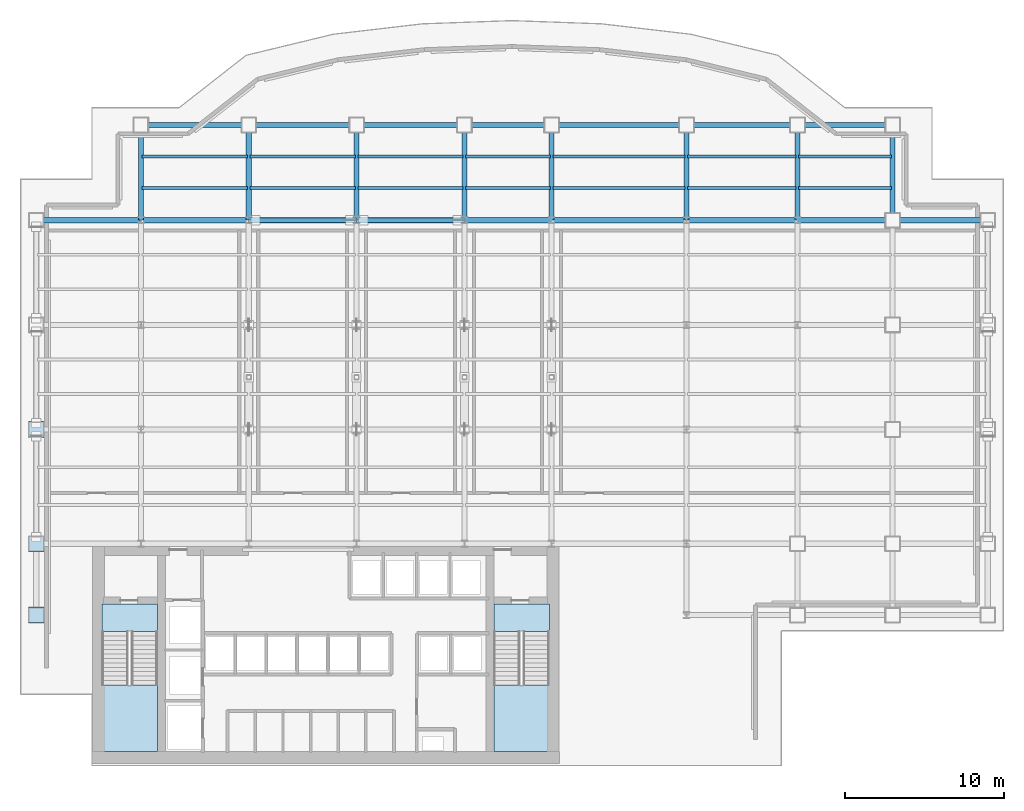
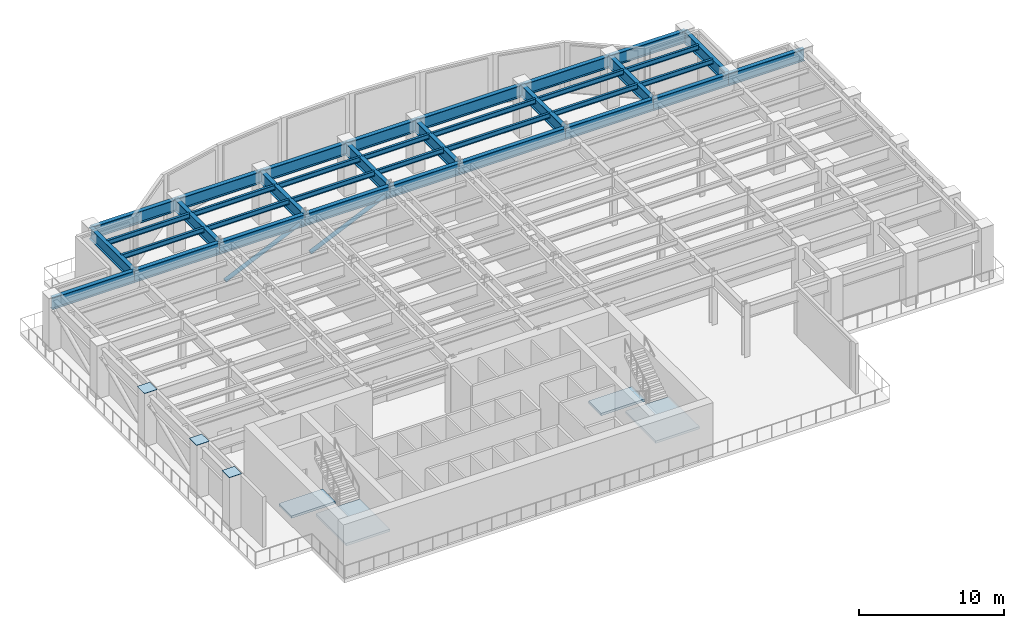
# One storey, part 4 of 14: 38 beams, 4 slabs, 3 plates, 2 members, 2 elements without a shape of their own.
"""IFC4 building model written with IfcOpenShell, lengths in metres."""

from ifc_helpers import new_model, si_unit, derived_unit, direction, frame, origin, origin_2d, place, context, subcontext, project, spatial, polyline, rectangle, hollow_circle, i_section, outline, extrude, source, transform, mapped, material, layer, layer_set, material_profile, profile_set, type_object, element, aggregate, save


model = new_model("IFC4")

# Units and contexts
model_context = context("Model", 3, precision=1e-05, world=origin(), true_north=direction((0.0, 1.0)))
body_context = subcontext(model_context, "Body", "Model", "MODEL_VIEW")
ifc_project = project(units=[si_unit("LENGTHUNIT", "METRE"), si_unit("AREAUNIT", "SQUARE_METRE"), si_unit("VOLUMEUNIT", "CUBIC_METRE"), si_unit("PLANEANGLEUNIT", "RADIAN"), si_unit("MASSUNIT", "GRAM", prefix="KILO"), derived_unit("THERMALTRANSMITTANCEUNIT", [(si_unit("POWERUNIT", "WATT"), 1), (si_unit("LENGTHUNIT", "METRE"), -2), (si_unit("THERMODYNAMICTEMPERATUREUNIT", "KELVIN"), -1)])], contexts=[model_context])

# Site, building, storey
site_placement = place(None, origin())
site = spatial("IfcSite", under=ifc_project, at=site_placement, CompositionType="ELEMENT")
building_placement = place(site_placement, origin())
building = spatial("IfcBuilding", under=site, at=building_placement, Name="Skarnbrae Concourse Arena and Tower", CompositionType="ELEMENT")
storey_placement = place(building_placement, frame((0.0, 0.0, 84.14990234375)))
storey = spatial("IfcBuildingStorey", under=building, at=storey_placement, Name="L20", CompositionType="ELEMENT", Elevation=84.14990234375)

# Beams
ifc_material_1 = material(Name="Steel CSA G40.21 350W", Category="steel")
ifc_material_profile_1 = material_profile(ifc_material_1, i_section(OverallWidth=0.180908203125, OverallDepth=0.4169921875, WebThickness=0.010986328125, FlangeThickness=0.018310546875, at=origin_2d()), Name="W410X85")
ifc_profile_set_1 = profile_set([ifc_material_profile_1], Name="Steel CSA G40.21 350W")
beam_type_1 = type_object("IfcBeamType", Name="BM-JOIST-W410X85", PredefinedType="JOIST", material=ifc_profile_set_1)
shared_shape_1 = source(origin(), body_context, "Body", "SweptSolid", [
    extrude(i_section(OverallWidth=0.180908203125, OverallDepth=0.4169921875, WebThickness=0.010986328125, FlangeThickness=0.018310546875, at=origin_2d()), origin(), (0.0, 0.0, 1.0), 6.64013671875),
])
for number, where, z_axis, x_axis, name in (
    (1, (7.679931640625, 36.43994140625, 3.99169921875), (1.0, 0.0, 0.0), (0.0, 1.0, 0.0), "L20 Secondary floor joist 4.1.1"),
    (2, (14.47998046875, 36.43994140625, 3.99169921875), (1.0, 0.0, 0.0), (0.0, 1.0, 0.0), "L20 Secondary floor joist 4.1.2"),
    (3, (7.679931640625, 38.419921875, 3.99169921875), (1.0, 0.0, 0.0), (0.0, 1.0, 0.0), "L20 Secondary floor joist 4.2.1"),
    (4, (14.47998046875, 38.419921875, 3.99169921875), (1.0, 0.0, 0.0), (0.0, 1.0, 0.0), "L20 Secondary floor joist 4.2.2"),
):
    element("IfcBeam", number, at=place(storey_placement, frame(where, z_axis=z_axis, x_axis=x_axis)), inside=storey, type_object=beam_type_1, Name=name, PredefinedType="JOIST", context=body_context, shape_type="MappedRepresentation", body=[
        mapped(shared_shape_1, transform((0.0, 0.0, 0.0))),
    ])
shared_shape_2 = source(origin(), body_context, "Body", "SweptSolid", [
    extrude(i_section(OverallWidth=0.180908203125, OverallDepth=0.4169921875, WebThickness=0.010986328125, FlangeThickness=0.018310546875, at=origin_2d()), origin(), (0.0, 0.0, 1.0), 6.639892578125),
])
for number, where, z_axis, x_axis, name in (
    (5, (21.280029296875, 36.43994140625, 3.99169921875), (1.0, 0.0, 0.0), (0.0, 1.0, 0.0), "L20 Secondary floor joist 4.1.3"),
    (6, (21.280029296875, 38.419921875, 3.99169921875), (1.0, 0.0, 0.0), (0.0, 1.0, 0.0), "L20 Secondary floor joist 4.2.3"),
):
    element("IfcBeam", number, at=place(storey_placement, frame(where, z_axis=z_axis, x_axis=x_axis)), inside=storey, type_object=beam_type_1, Name=name, PredefinedType="JOIST", context=body_context, shape_type="MappedRepresentation", body=[
        mapped(shared_shape_2, transform((0.0, 0.0, 0.0))),
    ])
shared_shape_3 = source(origin(), body_context, "Body", "SweptSolid", [
    extrude(i_section(OverallWidth=0.180908203125, OverallDepth=0.4169921875, WebThickness=0.010986328125, FlangeThickness=0.018310546875, at=origin_2d()), origin(), (0.0, 0.0, 1.0), 5.33984375),
])
for number, where, z_axis, x_axis, name in (
    (7, (28.080078125, 36.43994140625, 3.99169921875), (1.0, 0.0, 0.0), (0.0, 1.0, 0.0), "L20 Secondary floor joist 4.1.4"),
    (8, (28.080078125, 38.419921875, 3.99169921875), (1.0, 0.0, 0.0), (0.0, 1.0, 0.0), "L20 Secondary floor joist 4.2.4"),
):
    element("IfcBeam", number, at=place(storey_placement, frame(where, z_axis=z_axis, x_axis=x_axis)), inside=storey, type_object=beam_type_1, Name=name, PredefinedType="JOIST", context=body_context, shape_type="MappedRepresentation", body=[
        mapped(shared_shape_3, transform((0.0, 0.0, 0.0))),
    ])
shared_shape_4 = source(origin(), body_context, "Body", "SweptSolid", [
    extrude(i_section(OverallWidth=0.180908203125, OverallDepth=0.4169921875, WebThickness=0.010986328125, FlangeThickness=0.018310546875, at=origin_2d()), origin(), (0.0, 0.0, 1.0), 8.33984375),
])
for number, where, z_axis, x_axis, name in (
    (9, (33.580078125, 36.43994140625, 3.99169921875), (1.0, 0.0, 0.0), (0.0, 1.0, 0.0), "L20 Secondary floor joist 4.1.5"),
    (10, (33.580078125, 38.419921875, 3.99169921875), (1.0, 0.0, 0.0), (0.0, 1.0, 0.0), "L20 Secondary floor joist 4.2.5"),
):
    element("IfcBeam", number, at=place(storey_placement, frame(where, z_axis=z_axis, x_axis=x_axis)), inside=storey, type_object=beam_type_1, Name=name, PredefinedType="JOIST", context=body_context, shape_type="MappedRepresentation", body=[
        mapped(shared_shape_4, transform((0.0, 0.0, 0.0))),
    ])
shared_shape_5 = source(origin(), body_context, "Body", "SweptSolid", [
    extrude(i_section(OverallWidth=0.180908203125, OverallDepth=0.4169921875, WebThickness=0.010986328125, FlangeThickness=0.018310546875, at=origin_2d()), origin(), (0.0, 0.0, 1.0), 6.83984375),
])
for number, where, z_axis, x_axis, name in (
    (11, (42.080078125, 36.43994140625, 3.99169921875), (1.0, 0.0, 0.0), (0.0, 1.0, 0.0), "L20 Secondary floor joist 4.1.6"),
    (12, (42.080078125, 38.419921875, 3.99169921875), (1.0, 0.0, 0.0), (0.0, 1.0, 0.0), "L20 Secondary floor joist 4.2.6"),
):
    element("IfcBeam", number, at=place(storey_placement, frame(where, z_axis=z_axis, x_axis=x_axis)), inside=storey, type_object=beam_type_1, Name=name, PredefinedType="JOIST", context=body_context, shape_type="MappedRepresentation", body=[
        mapped(shared_shape_5, transform((0.0, 0.0, 0.0))),
    ])
shared_shape_6 = source(origin(), body_context, "Body", "SweptSolid", [
    extrude(i_section(OverallWidth=0.180908203125, OverallDepth=0.4169921875, WebThickness=0.010986328125, FlangeThickness=0.018310546875, at=origin_2d()), origin(), (0.0, 0.0, 1.0), 5.83984375),
])
for number, where, z_axis, x_axis, name in (
    (13, (49.080078125, 36.43994140625, 3.99169921875), (1.0, 0.0, 0.0), (0.0, 1.0, 0.0), "L20 Secondary floor joist 4.1.7"),
    (14, (49.080078125, 38.419921875, 3.99169921875), (1.0, 0.0, 0.0), (0.0, 1.0, 0.0), "L20 Secondary floor joist 4.2.7"),
):
    element("IfcBeam", number, at=place(storey_placement, frame(where, z_axis=z_axis, x_axis=x_axis)), inside=storey, type_object=beam_type_1, Name=name, PredefinedType="JOIST", context=body_context, shape_type="MappedRepresentation", body=[
        mapped(shared_shape_6, transform((0.0, 0.0, 0.0))),
    ])
ifc_material_profile_2 = material_profile(ifc_material_1, i_section(OverallWidth=0.327880859375, OverallDepth=1.0, WebThickness=0.02099609375, FlangeThickness=0.03759765625, at=origin_2d()), Name="W1000X371")
ifc_profile_set_2 = profile_set([ifc_material_profile_2], Name="Steel CSA G40.21 350W")
beam_type_2 = type_object("IfcBeamType", Name="BM-XFER-W1000X371", PredefinedType="BEAM", material=ifc_profile_set_2)
shared_shape_7 = source(origin(), body_context, "Body", "SweptSolid", [
    extrude(i_section(OverallWidth=0.327880859375, OverallDepth=1.0, WebThickness=0.02099609375, FlangeThickness=0.03759765625, at=origin_2d()), origin(), (0.0, 0.0, 1.0), 7.0),
])
for number, where, z_axis, x_axis, name in (
    (15, (42.0, 34.39990234375, 3.7001953125), (1.0, 0.0, 0.0), (0.0, 1.0, 0.0), "L20 Primary E-W girder Y34.4-7"),
    (16, (42.0, 40.39990234375, 3.7001953125), (1.0, 0.0, 0.0), (0.0, 1.0, 0.0), "L20 Perimeter spandrel Y40.4-6"),
):
    element("IfcBeam", number, at=place(storey_placement, frame(where, z_axis=z_axis, x_axis=x_axis)), inside=storey, type_object=beam_type_2, Name=name, PredefinedType="BEAM", context=body_context, shape_type="MappedRepresentation", body=[
        mapped(shared_shape_7, transform((0.0, 0.0, 0.0))),
    ])
shared_shape_8 = source(origin(), body_context, "Body", "SweptSolid", [
    extrude(i_section(OverallWidth=0.327880859375, OverallDepth=1.0, WebThickness=0.02099609375, FlangeThickness=0.03759765625, at=origin_2d()), origin(), (0.0, 0.0, 1.0), 6.0),
])
for number, where, z_axis, x_axis, name in (
    (17, (49.0, 34.39990234375, 3.7001953125), (1.0, 0.0, 0.0), (0.0, 1.0, 0.0), "L20 Primary E-W girder Y34.4-8"),
    (18, (55.0, 34.39990234375, 3.7001953125), (1.0, 0.0, 0.0), (0.0, 1.0, 0.0), "L20 Perimeter spandrel Y34.4-9"),
    (19, (49.0, 40.39990234375, 3.7001953125), (1.0, 0.0, 0.0), (0.0, 1.0, 0.0), "L20 Perimeter spandrel Y40.4-7"),
    (20, (7.60009765625, 34.39990234375, 3.7001953125), (0.0, 1.0, 0.0), (-1.0, 0.0, 0.0), "L20 Primary N-S girder X7.6-4"),
    (21, (14.39990234375, 34.39990234375, 3.7001953125), (0.0, 1.0, 0.0), (-1.0, 0.0, 0.0), "L20 Primary N-S girder X14.4-4"),
    (22, (21.199951171875, 34.39990234375, 3.7001953125), (0.0, 1.0, 0.0), (-1.0, 0.0, 0.0), "L20 Primary N-S girder X21.2-4"),
    (23, (28.0, 34.39990234375, 3.7001953125), (0.0, 1.0, 0.0), (-1.0, 0.0, 0.0), "L20 Primary N-S girder X28.0-4"),
    (24, (33.5, 34.39990234375, 3.7001953125), (0.0, 1.0, 0.0), (-1.0, 0.0, 0.0), "L20 Primary N-S girder X33.5-4"),
    (25, (42.0, 34.39990234375, 3.7001953125), (0.0, 1.0, 0.0), (-1.0, 0.0, 0.0), "L20 Primary N-S girder X42.0-5"),
    (26, (49.0, 34.39990234375, 3.7001953125), (0.0, 1.0, 0.0), (-1.0, 0.0, 0.0), "L20 Primary N-S girder X49.0-5"),
    (27, (55.0, 34.39990234375, 3.7001953125), (0.0, 1.0, 0.0), (-1.0, 0.0, 0.0), "L20 Perimeter spandrel X55.0-5"),
):
    element("IfcBeam", number, at=place(storey_placement, frame(where, z_axis=z_axis, x_axis=x_axis)), inside=storey, type_object=beam_type_2, Name=name, PredefinedType="BEAM", context=body_context, shape_type="MappedRepresentation", body=[
        mapped(shared_shape_8, transform((0.0, 0.0, 0.0))),
    ])
shared_shape_9 = source(origin(), body_context, "Body", "SweptSolid", [
    extrude(i_section(OverallWidth=0.327880859375, OverallDepth=1.0, WebThickness=0.02099609375, FlangeThickness=0.03759765625, at=origin_2d()), origin(), (0.0, 0.0, 1.0), 6.60009765625),
])
beam_placement = place(storey_placement, frame((1.0, 34.39990234375, 3.7001953125), z_axis=(1.0, 0.0, 0.0), x_axis=(0.0, 1.0, 0.0)))
element("IfcBeam", 28, at=beam_placement, inside=storey, type_object=beam_type_2, Name="L20 Primary E-W girder Y34.4-1", PredefinedType="BEAM", context=body_context, shape_type="MappedRepresentation", body=[
    mapped(shared_shape_9, transform((0.0, 0.0, 0.0))),
])
shared_shape_10 = source(origin(), body_context, "Body", "SweptSolid", [
    extrude(i_section(OverallWidth=0.327880859375, OverallDepth=1.0, WebThickness=0.02099609375, FlangeThickness=0.03759765625, at=origin_2d()), origin(), (0.0, 0.0, 1.0), 6.7998046875),
])
for number, where, z_axis, x_axis, name in (
    (29, (7.60009765625, 34.39990234375, 3.7001953125), (1.0, 0.0, 0.0), (0.0, 1.0, 0.0), "L20 Primary E-W girder Y34.4-2"),
    (30, (7.60009765625, 40.39990234375, 3.7001953125), (1.0, 0.0, 0.0), (0.0, 1.0, 0.0), "L20 Perimeter spandrel Y40.4-1"),
):
    element("IfcBeam", number, at=place(storey_placement, frame(where, z_axis=z_axis, x_axis=x_axis)), inside=storey, type_object=beam_type_2, Name=name, PredefinedType="BEAM", context=body_context, shape_type="MappedRepresentation", body=[
        mapped(shared_shape_10, transform((0.0, 0.0, 0.0))),
    ])
shared_shape_11 = source(origin(), body_context, "Body", "SweptSolid", [
    extrude(i_section(OverallWidth=0.327880859375, OverallDepth=1.0, WebThickness=0.02099609375, FlangeThickness=0.03759765625, at=origin_2d()), origin(), (0.0, 0.0, 1.0), 6.800048828125),
])
for number, where, z_axis, x_axis, name in (
    (31, (14.39990234375, 34.39990234375, 3.7001953125), (1.0, 0.0, 0.0), (0.0, 1.0, 0.0), "L20 Primary E-W girder Y34.4-3"),
    (32, (21.199951171875, 34.39990234375, 3.7001953125), (1.0, 0.0, 0.0), (0.0, 1.0, 0.0), "L20 Primary E-W girder Y34.4-4"),
    (33, (14.39990234375, 40.39990234375, 3.7001953125), (1.0, 0.0, 0.0), (0.0, 1.0, 0.0), "L20 Perimeter spandrel Y40.4-2"),
    (34, (21.199951171875, 40.39990234375, 3.7001953125), (1.0, 0.0, 0.0), (0.0, 1.0, 0.0), "L20 Perimeter spandrel Y40.4-3"),
):
    element("IfcBeam", number, at=place(storey_placement, frame(where, z_axis=z_axis, x_axis=x_axis)), inside=storey, type_object=beam_type_2, Name=name, PredefinedType="BEAM", context=body_context, shape_type="MappedRepresentation", body=[
        mapped(shared_shape_11, transform((0.0, 0.0, 0.0))),
    ])
shared_shape_12 = source(origin(), body_context, "Body", "SweptSolid", [
    extrude(i_section(OverallWidth=0.327880859375, OverallDepth=1.0, WebThickness=0.02099609375, FlangeThickness=0.03759765625, at=origin_2d()), origin(), (0.0, 0.0, 1.0), 5.5),
])
for number, where, z_axis, x_axis, name in (
    (35, (28.0, 34.39990234375, 3.7001953125), (1.0, 0.0, 0.0), (0.0, 1.0, 0.0), "L20 Primary E-W girder Y34.4-5"),
    (36, (28.0, 40.39990234375, 3.7001953125), (1.0, 0.0, 0.0), (0.0, 1.0, 0.0), "L20 Perimeter spandrel Y40.4-4"),
):
    element("IfcBeam", number, at=place(storey_placement, frame(where, z_axis=z_axis, x_axis=x_axis)), inside=storey, type_object=beam_type_2, Name=name, PredefinedType="BEAM", context=body_context, shape_type="MappedRepresentation", body=[
        mapped(shared_shape_12, transform((0.0, 0.0, 0.0))),
    ])
shared_shape_13 = source(origin(), body_context, "Body", "SweptSolid", [
    extrude(i_section(OverallWidth=0.327880859375, OverallDepth=1.0, WebThickness=0.02099609375, FlangeThickness=0.03759765625, at=origin_2d()), origin(), (0.0, 0.0, 1.0), 8.5),
])
for number, where, z_axis, x_axis, name in (
    (37, (33.5, 34.39990234375, 3.7001953125), (1.0, 0.0, 0.0), (0.0, 1.0, 0.0), "L20 Primary E-W girder Y34.4-6"),
    (38, (33.5, 40.39990234375, 3.7001953125), (1.0, 0.0, 0.0), (0.0, 1.0, 0.0), "L20 Perimeter spandrel Y40.4-5"),
):
    element("IfcBeam", number, at=place(storey_placement, frame(where, z_axis=z_axis, x_axis=x_axis)), inside=storey, type_object=beam_type_2, Name=name, PredefinedType="BEAM", context=body_context, shape_type="MappedRepresentation", body=[
        mapped(shared_shape_13, transform((0.0, 0.0, 0.0))),
    ])

# Members
ifc_material_profile_3 = material_profile(ifc_material_1, hollow_circle(Radius=0.161865234375, WallThickness=0.01904296875, at=origin_2d()), Name="HSS324X19.0")
ifc_profile_set_3 = profile_set([ifc_material_profile_3], Name="Steel CSA G40.21 350W")
member_type = type_object("IfcMemberType", Name="MEM-BELT-CHS324", PredefinedType="BRACE", material=ifc_profile_set_3)
shared_shape_14 = source(origin(), body_context, "Body", "SweptSolid", [
    extrude(hollow_circle(Radius=0.161865234375, WallThickness=0.01904296875, at=origin_2d()), origin(), (0.0, 0.0, 1.0), 6.55322265625),
])
member_1_placement = place(storey_placement, frame((14.818603515625, 34.39990234375, 0.740966796875), z_axis=(0.909914283032, 0.0, 0.414796332594), x_axis=(0.0, 1.0, 0.0)))
element("IfcMember", 39, at=member_1_placement, inside=storey, type_object=member_type, Name="L20 Perimeter belt trusses diagonal B07", PredefinedType="BRACE", context=body_context, shape_type="MappedRepresentation", body=[
    mapped(shared_shape_14, transform((0.0, 0.0, 0.0))),
])
shared_shape_15 = source(origin(), body_context, "Body", "SweptSolid", [
    extrude(hollow_circle(Radius=0.161865234375, WallThickness=0.01904296875, at=origin_2d()), origin(), (0.0, 0.0, 1.0), 6.552978515625),
])
member_2_placement = place(storey_placement, frame((21.61865234375, 34.39990234375, 0.740966796875), z_axis=(0.909907872773, 0.0, 0.414810394114), x_axis=(0.0, 1.0, 0.0)))
element("IfcMember", 40, at=member_2_placement, inside=storey, type_object=member_type, Name="L20 Perimeter belt trusses diagonal B08", PredefinedType="BRACE", context=body_context, shape_type="MappedRepresentation", body=[
    mapped(shared_shape_15, transform((0.0, 0.0, 0.0))),
])

# Stair, slab
ifc_material_2 = material(Name="Concrete 40 MPa (C40/50)", Category="concrete")
stair_type = type_object("IfcStairType", Name="STAIR-DOGLEG-1650", PredefinedType="HALF_TURN_STAIR", material=ifc_material_2)
stair_1_placement = place(storey_placement, origin())
stair_1 = element("IfcStair", 41, at=stair_1_placement, inside=storey, type_object=stair_type, Name="L20 Protected Exit Stair ST-1", PredefinedType="HALF_TURN_STAIR")
ifc_layer_1 = layer(ifc_material_2, 0.199951171875)
ifc_layer_set_1 = layer_set([ifc_layer_1], Name="Concrete 40 MPa (C40/50)")
slab_type = type_object("IfcSlabType", Name="SLAB-LANDING-200", PredefinedType="LANDING", material=ifc_layer_set_1)
slab_1_placement = place(storey_placement, frame((0.0, 0.0, 2.050048828125)))
slab_1 = element("IfcSlab", 42, at=slab_1_placement, type_object=slab_type, Name="ST-1 landing 1", PredefinedType="LANDING", context=body_context, shape_type="SweptSolid", body=[
    extrude(outline(polyline([(5.14990234375, 5.090087890625), (5.14990234375, 0.89990234375), (8.64990234375, 0.89990234375), (8.64990234375, 5.090087890625), (5.14990234375, 5.090087890625)])), origin(), (0.0, 0.0, 1.0), 0.199951171875),
])
aggregate(stair_1, [slab_1])

stair_2_placement = place(storey_placement, origin())
stair_2 = element("IfcStair", 43, at=stair_2_placement, inside=storey, type_object=stair_type, Name="L20 Protected Exit Stair ST-2", PredefinedType="HALF_TURN_STAIR")
slab_2_placement = place(storey_placement, frame((0.0, 0.0, 2.050048828125)))
slab_2 = element("IfcSlab", 44, at=slab_2_placement, type_object=slab_type, Name="ST-2 landing 1", PredefinedType="LANDING", context=body_context, shape_type="SweptSolid", body=[
    extrude(outline(polyline([(29.85009765625, 5.090087890625), (29.85009765625, 0.89990234375), (33.35009765625, 0.89990234375), (33.35009765625, 5.090087890625), (29.85009765625, 5.090087890625)])), origin(), (0.0, 0.0, 1.0), 0.199951171875),
])
aggregate(stair_2, [slab_2])

# Slabs
slab_3_placement = place(storey_placement, frame((0.0, 0.0, -0.199951171875)))
element("IfcSlab", 45, at=slab_3_placement, inside=storey, type_object=slab_type, Name="L20 Core stair ST1 floor landing", PredefinedType="LANDING", context=body_context, shape_type="SweptSolid", body=[
    extrude(outline(polyline([(5.14990234375, 10.199951171875), (5.14990234375, 8.449951171875), (8.64990234375, 8.449951171875), (8.64990234375, 10.199951171875), (5.14990234375, 10.199951171875)])), origin(), (0.0, 0.0, 1.0), 0.199951171875),
])
slab_4_placement = place(storey_placement, frame((0.0, 0.0, -0.199951171875)))
element("IfcSlab", 46, at=slab_4_placement, inside=storey, type_object=slab_type, Name="L20 Core stair ST2 floor landing", PredefinedType="LANDING", context=body_context, shape_type="SweptSolid", body=[
    extrude(outline(polyline([(29.85009765625, 10.199951171875), (29.85009765625, 8.449951171875), (33.35009765625, 8.449951171875), (33.35009765625, 10.199951171875), (29.85009765625, 10.199951171875)])), origin(), (0.0, 0.0, 1.0), 0.199951171875),
])

# Plates
ifc_layer_2 = layer(ifc_material_1, 0.031982421875)
ifc_layer_set_2 = layer_set([ifc_layer_2], Name="Steel CSA G40.21 350W")
plate_type = type_object("IfcPlateType", Name="PLT-CAP-BOX950", PredefinedType="USERDEFINED", material=ifc_layer_set_2)
shared_shape_16 = source(origin(), body_context, "Body", "SweptSolid", [
    extrude(rectangle(XDim=1.0, YDim=1.0, at=origin_2d()), origin(), (0.0, 0.0, 1.0), 0.031982421875),
])
for number, where, z_axis, x_axis, name in (
    (47, (1.0, 9.5, 4.4990234375), (0.0, 0.0, 1.0), (1.0, 0.0, 0.0), "L20 Hollow column top cap plate 067"),
    (48, (1.0, 14.0, 4.4990234375), (0.0, 0.0, 1.0), (1.0, 0.0, 0.0), "L20 Hollow column top cap plate 068"),
    (49, (1.0, 21.199951171875, 4.4990234375), (0.0, 0.0, 1.0), (1.0, 0.0, 0.0), "L20 Hollow column top cap plate 069"),
):
    element("IfcPlate", number, at=place(storey_placement, frame(where, z_axis=z_axis, x_axis=x_axis)), inside=storey, type_object=plate_type, Name=name, ObjectType="CAP PLATE", PredefinedType="USERDEFINED", context=body_context, shape_type="MappedRepresentation", body=[
        mapped(shared_shape_16, transform((0.0, 0.0, 0.0))),
    ])

save(model, "model.ifc")
